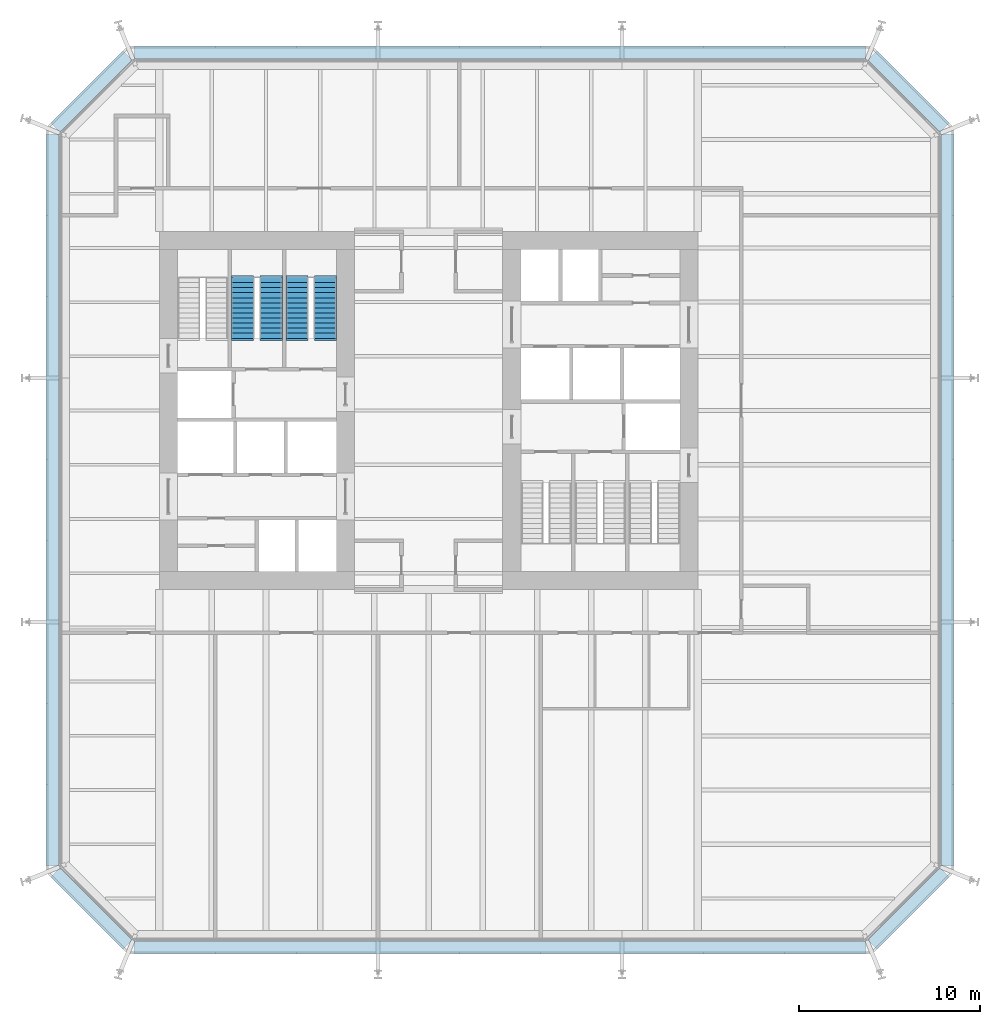
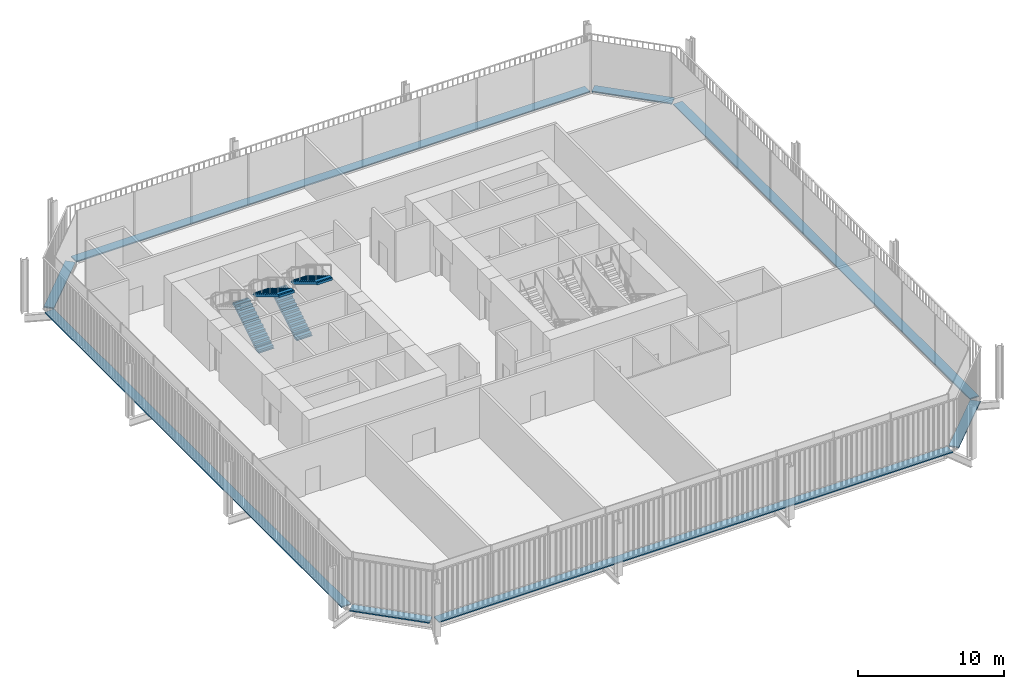
# One storey, part 19 of 20: 8 discrete accessories, 4 stair flights, 2 elements without a shape of their own.
"""IFC4 building model written with IfcOpenShell, lengths in metres."""

from ifc_helpers import new_model, si_unit, direction, frame, origin, origin_2d, place, context, subcontext, project, spatial, polyline, rectangle, outline, extrude, material, type_object, element, aggregate, save


model = new_model("IFC4")

# Units and contexts
model_context = context("Model", 3, precision=1e-05, world=origin(), true_north=direction((0.0, 1.0)))
body_context = subcontext(model_context, "Body", "Model", "MODEL_VIEW")
ifc_project = project(units=[si_unit("LENGTHUNIT", "METRE"), si_unit("AREAUNIT", "SQUARE_METRE"), si_unit("VOLUMEUNIT", "CUBIC_METRE"), si_unit("PLANEANGLEUNIT", "RADIAN"), si_unit("MASSUNIT", "GRAM", prefix="KILO")], contexts=[model_context])

# Site, building, storey
site_placement = place(None, origin())
site = spatial("IfcSite", under=ifc_project, at=site_placement, CompositionType="ELEMENT")
building_placement = place(site_placement, origin())
building = spatial("IfcBuilding", under=site, at=building_placement, Name="Millrace Tower", CompositionType="ELEMENT")
storey_placement = place(building_placement, frame((0.0, 0.0, 99.60009765625)))
storey = spatial("IfcBuildingStorey", under=building, at=storey_placement, Name="L22", CompositionType="ELEMENT", Elevation=99.60009765625)

# Stair, stair flights
ifc_material_1 = material(Name="Concrete C35", Category="concrete")
stair_type = type_object("IfcStairType", Name="Exit stair", PredefinedType="HALF_TURN_STAIR", material=ifc_material_1)
placement = place(storey_placement, origin())
stair_1 = element("IfcStair", 1, at=placement, inside=storey, type_object=stair_type, Name="Stair 2 W L22", PredefinedType="HALF_TURN_STAIR")
ifc_material_2 = material(Name="Concrete C35", Category="concrete")
stair_flight_type = type_object("IfcStairFlightType", Name="Exit stair flight", PredefinedType="STRAIGHT", material=ifc_material_2)
stair_flight_1_placement = place(storey_placement, frame((-10.2900390625, 4.0, 0.0), z_axis=(0.0, 0.0, 1.0), x_axis=(0.0, 1.0, 0.0)))
stair_flight_1 = element("IfcStairFlight", 2, at=stair_flight_1_placement, type_object=stair_flight_type, Name="ST12 flight 1", NumberOfRisers=13, NumberOfTreads=12, PredefinedType="STRAIGHT", RiserHeight=0.169230769, TreadLength=0.28, context=body_context, shape_type="SweptSolid", body=[
    extrude(outline(polyline([(-0.1201171875, -0.0400390625), (-0.1201171875, 0.0), (0.0, 0.0), (0.0, 0.169189453125), (0.280029296875, 0.169189453125), (0.280029296875, 0.33837890625), (0.56005859375, 0.33837890625), (0.56005859375, 0.5078125), (0.840087890625, 0.5078125), (0.840087890625, 0.677001953125), (1.1201171875, 0.677001953125), (1.1201171875, 0.84619140625), (1.39990234375, 0.84619140625), (1.39990234375, 1.015380859375), (1.679931640625, 1.015380859375), (1.679931640625, 1.1845703125), (1.9599609375, 1.1845703125), (1.9599609375, 1.353759765625), (2.239990234375, 1.353759765625), (2.239990234375, 1.523193359375), (2.52001953125, 1.523193359375), (2.52001953125, 1.6923828125), (2.800048828125, 1.6923828125), (2.800048828125, 1.861572265625), (3.080078125, 1.861572265625), (3.080078125, 2.03076171875), (3.360107421875, 2.03076171875), (3.360107421875, 2.05078125), (3.47998046875, 2.05078125), (3.47998046875, 1.855712890625), (3.360107421875, 1.855712890625), (0.289794921875, 0.0), (0.289794921875, -0.0400390625), (-0.1201171875, -0.0400390625)])), frame((0.0, 0.60986328125, 0.0), z_axis=(0.0, -1.0, 0.0), x_axis=(1.0, 0.0, 0.0)), (0.0, 0.0, 1.0), 1.219970703125),
])
stair_flight_2_placement = place(storey_placement, frame((-8.7099609375, 7.360107421875, 2.199951171875), z_axis=(0.0, 0.0, 1.0), x_axis=(0.0, -1.0, 0.0)))
stair_flight_2 = element("IfcStairFlight", 3, at=stair_flight_2_placement, type_object=stair_flight_type, Name="ST12 flight 2", NumberOfRisers=13, NumberOfTreads=12, PredefinedType="STRAIGHT", RiserHeight=0.169230769, TreadLength=0.28, context=body_context, shape_type="SweptSolid", body=[
    extrude(outline(polyline([(-0.1201171875, -0.0400390625), (-0.1201171875, 0.0), (0.0, 0.0), (0.0, 0.169189453125), (0.280029296875, 0.169189453125), (0.280029296875, 0.33837890625), (0.56005859375, 0.33837890625), (0.56005859375, 0.5078125), (0.840087890625, 0.5078125), (0.840087890625, 0.677001953125), (1.1201171875, 0.677001953125), (1.1201171875, 0.84619140625), (1.39990234375, 0.84619140625), (1.39990234375, 1.015380859375), (1.679931640625, 1.015380859375), (1.679931640625, 1.1845703125), (1.9599609375, 1.1845703125), (1.9599609375, 1.353759765625), (2.239990234375, 1.353759765625), (2.239990234375, 1.523193359375), (2.52001953125, 1.523193359375), (2.52001953125, 1.6923828125), (2.800048828125, 1.6923828125), (2.800048828125, 1.861572265625), (3.080078125, 1.861572265625), (3.080078125, 2.03076171875), (3.360107421875, 2.03076171875), (3.360107421875, 2.05078125), (3.47998046875, 2.05078125), (3.47998046875, 1.855712890625), (3.360107421875, 1.855712890625), (0.289794921875, 0.0), (0.289794921875, -0.0400390625), (-0.1201171875, -0.0400390625)])), frame((0.0, 0.60986328125, 0.0), z_axis=(0.0, -1.0, 0.0), x_axis=(1.0, 0.0, 0.0)), (0.0, 0.0, 1.0), 1.219970703125),
])
aggregate(stair_1, [stair_flight_1, stair_flight_2])

stair_2 = element("IfcStair", 4, at=placement, inside=storey, type_object=stair_type, Name="Stair 3 W L22", PredefinedType="HALF_TURN_STAIR")
stair_flight_3_placement = place(storey_placement, frame((-7.2900390625, 4.0, 0.0), z_axis=(0.0, 0.0, 1.0), x_axis=(0.0, 1.0, 0.0)))
stair_flight_3 = element("IfcStairFlight", 5, at=stair_flight_3_placement, type_object=stair_flight_type, Name="ST12 flight 1", NumberOfRisers=13, NumberOfTreads=12, PredefinedType="STRAIGHT", RiserHeight=0.169230769, TreadLength=0.28, context=body_context, shape_type="SweptSolid", body=[
    extrude(outline(polyline([(-0.1201171875, -0.0400390625), (-0.1201171875, 0.0), (0.0, 0.0), (0.0, 0.169189453125), (0.280029296875, 0.169189453125), (0.280029296875, 0.33837890625), (0.56005859375, 0.33837890625), (0.56005859375, 0.5078125), (0.840087890625, 0.5078125), (0.840087890625, 0.677001953125), (1.1201171875, 0.677001953125), (1.1201171875, 0.84619140625), (1.39990234375, 0.84619140625), (1.39990234375, 1.015380859375), (1.679931640625, 1.015380859375), (1.679931640625, 1.1845703125), (1.9599609375, 1.1845703125), (1.9599609375, 1.353759765625), (2.239990234375, 1.353759765625), (2.239990234375, 1.523193359375), (2.52001953125, 1.523193359375), (2.52001953125, 1.6923828125), (2.800048828125, 1.6923828125), (2.800048828125, 1.861572265625), (3.080078125, 1.861572265625), (3.080078125, 2.03076171875), (3.360107421875, 2.03076171875), (3.360107421875, 2.05078125), (3.47998046875, 2.05078125), (3.47998046875, 1.855712890625), (3.360107421875, 1.855712890625), (0.289794921875, 0.0), (0.289794921875, -0.0400390625), (-0.1201171875, -0.0400390625)])), frame((0.0, 0.60986328125, 0.0), z_axis=(0.0, -1.0, 0.0), x_axis=(1.0, 0.0, 0.0)), (0.0, 0.0, 1.0), 1.219970703125),
])
stair_flight_4_placement = place(storey_placement, frame((-5.7099609375, 7.360107421875, 2.199951171875), z_axis=(0.0, 0.0, 1.0), x_axis=(0.0, -1.0, 0.0)))
stair_flight_4 = element("IfcStairFlight", 6, at=stair_flight_4_placement, type_object=stair_flight_type, Name="ST12 flight 2", NumberOfRisers=13, NumberOfTreads=12, PredefinedType="STRAIGHT", RiserHeight=0.169230769, TreadLength=0.28, context=body_context, shape_type="SweptSolid", body=[
    extrude(outline(polyline([(-0.1201171875, -0.0400390625), (-0.1201171875, 0.0), (0.0, 0.0), (0.0, 0.169189453125), (0.280029296875, 0.169189453125), (0.280029296875, 0.33837890625), (0.56005859375, 0.33837890625), (0.56005859375, 0.5078125), (0.840087890625, 0.5078125), (0.840087890625, 0.677001953125), (1.1201171875, 0.677001953125), (1.1201171875, 0.84619140625), (1.39990234375, 0.84619140625), (1.39990234375, 1.015380859375), (1.679931640625, 1.015380859375), (1.679931640625, 1.1845703125), (1.9599609375, 1.1845703125), (1.9599609375, 1.353759765625), (2.239990234375, 1.353759765625), (2.239990234375, 1.523193359375), (2.52001953125, 1.523193359375), (2.52001953125, 1.6923828125), (2.800048828125, 1.6923828125), (2.800048828125, 1.861572265625), (3.080078125, 1.861572265625), (3.080078125, 2.03076171875), (3.360107421875, 2.03076171875), (3.360107421875, 2.05078125), (3.47998046875, 2.05078125), (3.47998046875, 1.855712890625), (3.360107421875, 1.855712890625), (0.289794921875, 0.0), (0.289794921875, -0.0400390625), (-0.1201171875, -0.0400390625)])), frame((0.0, 0.60986328125, 0.0), z_axis=(0.0, -1.0, 0.0), x_axis=(1.0, 0.0, 0.0)), (0.0, 0.0, 1.0), 1.219970703125),
])
aggregate(stair_2, [stair_flight_3, stair_flight_4])

# Discrete accessories
ifc_material_3 = material(Name="Stainless steel ASTM A240 type 316", Category="steel")
discrete_accessory_type = type_object("IfcDiscreteAccessoryType", Name="Thermally broken screen support rail", PredefinedType="BRACKET", material=ifc_material_3)
discrete_accessory_1_placement = place(storey_placement, frame((-18.66064453125, -27.560546875, -0.000244140625), z_axis=(0.0, 0.0, 1.0), x_axis=(0.707106781187, -0.707106781187, 0.0)))
element("IfcDiscreteAccessory", 7, at=discrete_accessory_1_placement, inside=storey, type_object=discrete_accessory_type, Name="Thermally broken screen support rail B-F01 L22 1", PredefinedType="BRACKET", context=body_context, shape_type="SweptSolid", body=[
    extrude(rectangle(XDim=5.65673828125, YDim=0.719970703125, at=origin_2d()), origin(), (0.0, 0.0, 1.0), 0.10009765625),
])
discrete_accessory_2_placement = place(storey_placement, frame((3.949951171875, -29.7099609375, -0.000244140625), z_axis=(0.0, 0.0, 1.0), x_axis=(1.0, 0.0, 0.0)))
element("IfcDiscreteAccessory", 8, at=discrete_accessory_2_placement, inside=storey, type_object=discrete_accessory_type, Name="Thermally broken screen support rail B-F02 L22 1", PredefinedType="BRACKET", context=body_context, shape_type="SweptSolid", body=[
    extrude(rectangle(XDim=40.5, YDim=0.719970703125, at=origin_2d()), origin(), (0.0, 0.0, 1.0), 0.10009765625),
])
discrete_accessory_3_placement = place(storey_placement, frame((26.560546875, -27.560546875, -0.000244140625), z_axis=(0.0, 0.0, 1.0), x_axis=(0.707106781187, 0.707106781187, 0.0)))
element("IfcDiscreteAccessory", 9, at=discrete_accessory_3_placement, inside=storey, type_object=discrete_accessory_type, Name="Thermally broken screen support rail B-F03 L22 1", PredefinedType="BRACKET", context=body_context, shape_type="SweptSolid", body=[
    extrude(rectangle(XDim=5.65673828125, YDim=0.719970703125, at=origin_2d()), origin(), (0.0, 0.0, 1.0), 0.10009765625),
])
discrete_accessory_4_placement = place(storey_placement, frame((28.7099609375, -4.949951171875, -0.000244140625), z_axis=(0.0, 0.0, 1.0), x_axis=(0.0, 1.0, 0.0)))
element("IfcDiscreteAccessory", 10, at=discrete_accessory_4_placement, inside=storey, type_object=discrete_accessory_type, Name="Thermally broken screen support rail B-F04 L22 1", PredefinedType="BRACKET", context=body_context, shape_type="SweptSolid", body=[
    extrude(rectangle(XDim=40.5, YDim=0.719970703125, at=origin_2d()), origin(), (0.0, 0.0, 1.0), 0.10009765625),
])
discrete_accessory_5_placement = place(storey_placement, frame((26.560546875, 17.66064453125, -0.000244140625), z_axis=(0.0, 0.0, 1.0), x_axis=(-0.707106781187, 0.707106781187, 0.0)))
element("IfcDiscreteAccessory", 11, at=discrete_accessory_5_placement, inside=storey, type_object=discrete_accessory_type, Name="Thermally broken screen support rail B-F05 L22 1", PredefinedType="BRACKET", context=body_context, shape_type="SweptSolid", body=[
    extrude(rectangle(XDim=5.65673828125, YDim=0.719970703125, at=origin_2d()), origin(), (0.0, 0.0, 1.0), 0.10009765625),
])
discrete_accessory_6_placement = place(storey_placement, frame((3.949951171875, 19.81005859375, -0.000244140625), z_axis=(0.0, 0.0, 1.0), x_axis=(-1.0, 0.0, 0.0)))
element("IfcDiscreteAccessory", 12, at=discrete_accessory_6_placement, inside=storey, type_object=discrete_accessory_type, Name="Thermally broken screen support rail B-F06 L22 1", PredefinedType="BRACKET", context=body_context, shape_type="SweptSolid", body=[
    extrude(rectangle(XDim=40.5, YDim=0.719970703125, at=origin_2d()), origin(), (0.0, 0.0, 1.0), 0.10009765625),
])
discrete_accessory_7_placement = place(storey_placement, frame((-18.66064453125, 17.66064453125, -0.000244140625), z_axis=(0.0, 0.0, 1.0), x_axis=(-0.707106781187, -0.707106781187, 0.0)))
element("IfcDiscreteAccessory", 13, at=discrete_accessory_7_placement, inside=storey, type_object=discrete_accessory_type, Name="Thermally broken screen support rail B-F07 L22 1", PredefinedType="BRACKET", context=body_context, shape_type="SweptSolid", body=[
    extrude(rectangle(XDim=5.65673828125, YDim=0.719970703125, at=origin_2d()), origin(), (0.0, 0.0, 1.0), 0.10009765625),
])
discrete_accessory_8_placement = place(storey_placement, frame((-20.81005859375, -4.949951171875, -0.000244140625), z_axis=(0.0, 0.0, 1.0), x_axis=(0.0, -1.0, 0.0)))
element("IfcDiscreteAccessory", 14, at=discrete_accessory_8_placement, inside=storey, type_object=discrete_accessory_type, Name="Thermally broken screen support rail B-F08 L22 1", PredefinedType="BRACKET", context=body_context, shape_type="SweptSolid", body=[
    extrude(rectangle(XDim=40.5, YDim=0.719970703125, at=origin_2d()), origin(), (0.0, 0.0, 1.0), 0.10009765625),
])

save(model, "model.ifc")
